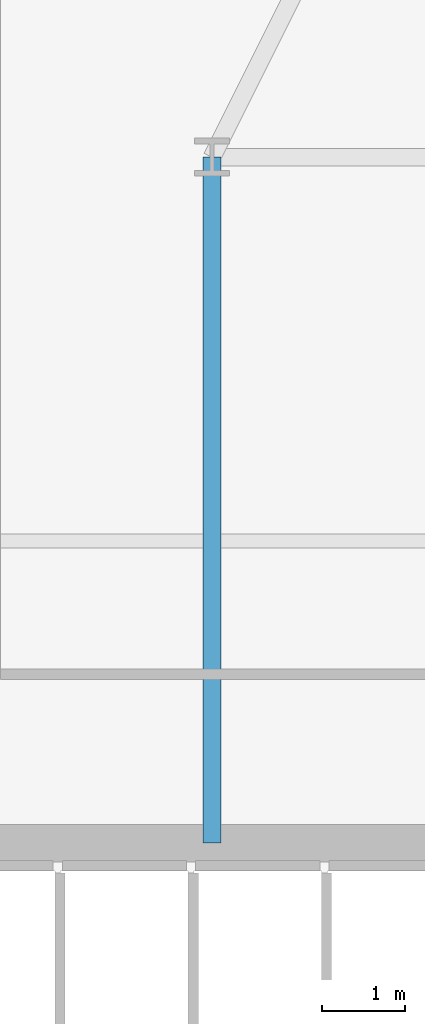
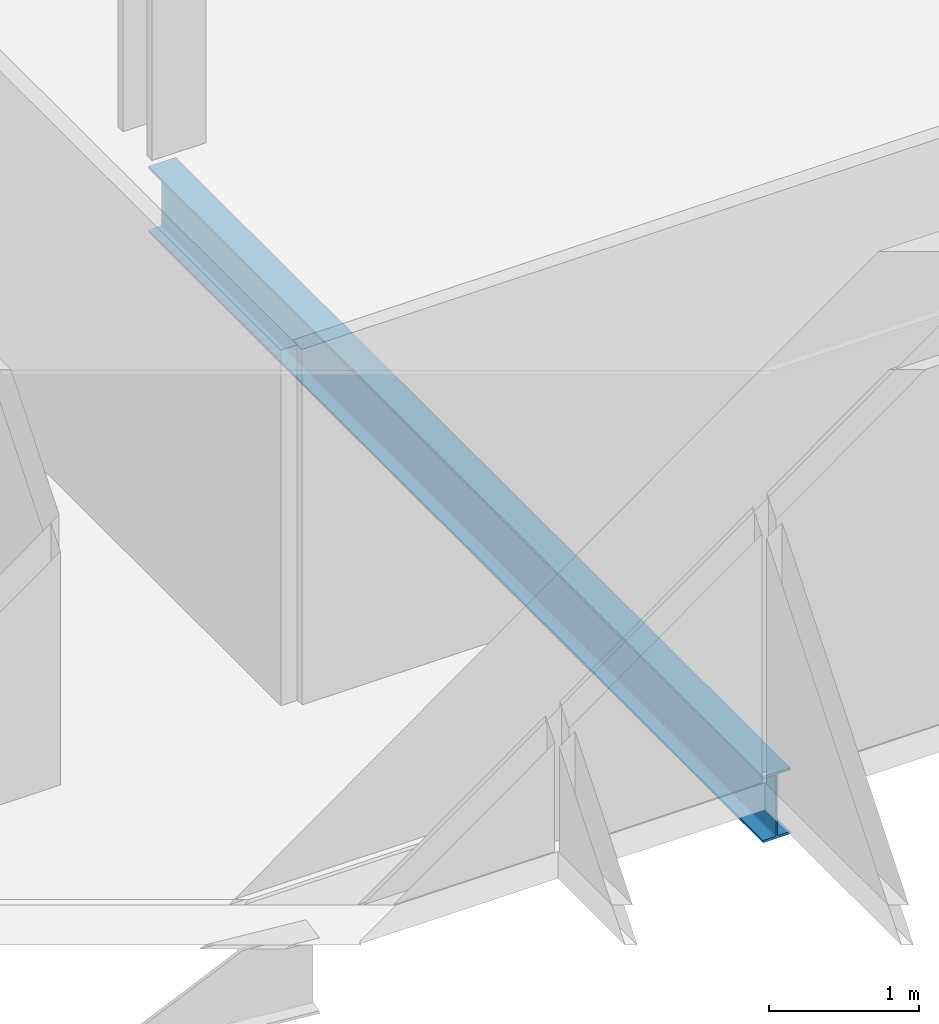
# One storey, part 6 of 32: 1 beam.
"""IFC4 building model written with IfcOpenShell, lengths in metres."""

from ifc_helpers import new_model, si_unit, direction, frame, origin, origin_2d, place, context, subcontext, project, spatial, i_section, extrude, material, material_profile, profile_set, type_object, element, save


model = new_model("IFC4")

# Units and contexts
model_context = context("Model", 3, precision=1e-05, world=origin(), true_north=direction((0.0, 1.0)))
body_context = subcontext(model_context, "Body", "Model", "MODEL_VIEW")
ifc_project = project(units=[si_unit("LENGTHUNIT", "METRE"), si_unit("AREAUNIT", "SQUARE_METRE"), si_unit("VOLUMEUNIT", "CUBIC_METRE"), si_unit("PLANEANGLEUNIT", "RADIAN"), si_unit("MASSUNIT", "GRAM", prefix="KILO")], contexts=[model_context])

# Site, building, storey
site_placement = place(None, origin())
site = spatial("IfcSite", under=ifc_project, at=site_placement, CompositionType="ELEMENT")
building_placement = place(site_placement, origin())
building = spatial("IfcBuilding", under=site, at=building_placement, Name="Ndaravel Arena Tower", CompositionType="ELEMENT")
storey_placement = place(building_placement, frame((0.0, 0.0, 58.800048828125)))
storey = spatial("IfcBuildingStorey", under=building, at=storey_placement, Name="L12", CompositionType="ELEMENT", Elevation=58.800048828125)

# Beam
ifc_material = material(Name="Steel S355", Category="steel")
ifc_material_profile = material_profile(ifc_material, i_section(OverallWidth=0.210693359375, OverallDepth=0.53955078125, WebThickness=0.01171875, FlangeThickness=0.018798828125, FilletRadius=0.0126953125, at=origin_2d()), Name="UB 533x210x109")
ifc_profile_set = profile_set([ifc_material_profile], Name="Steel S355")
beam_type = type_object("IfcBeamType", Name="BM-GIRD-UB533", PredefinedType="BEAM", material=ifc_profile_set)
beam_placement = place(storey_placement, frame((34.199951171875, 14.97998046875, -0.48974609375), z_axis=(0.0, 1.0, 0.0), x_axis=(-1.0, 0.0, 0.0)))
element("IfcBeam", 1, at=beam_placement, inside=storey, type_object=beam_type, Name="L12 Spine Link Girder SLG-01", PredefinedType="BEAM", context=body_context, shape_type="SweptSolid", body=[
    extrude(i_section(OverallWidth=0.210693359375, OverallDepth=0.53955078125, WebThickness=0.01171875, FlangeThickness=0.018798828125, FilletRadius=0.0126953125, at=origin_2d()), origin(), (0.0, 0.0, 1.0), 8.219970703125),
])

save(model, "model.ifc")
